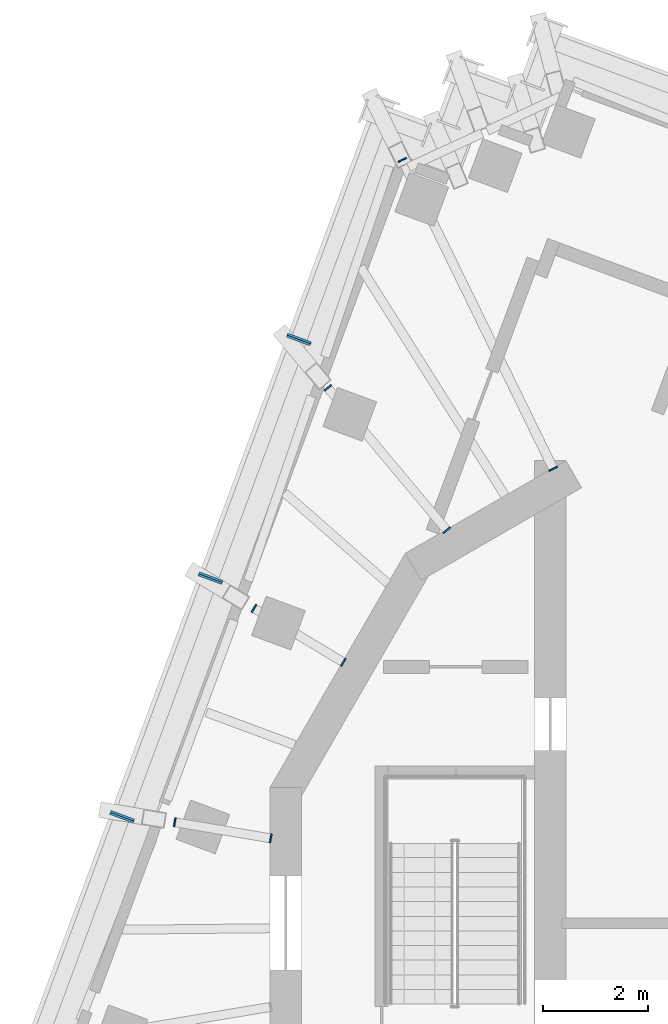
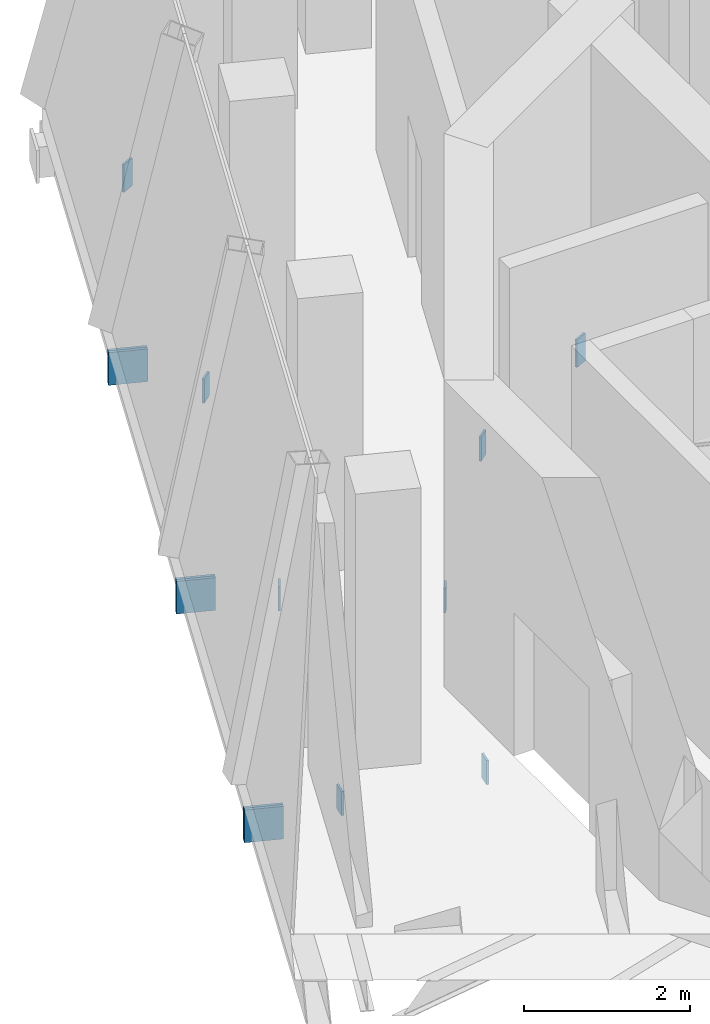
# One storey, part 9 of 12: 14 discrete accessories, 4 elements without a shape of their own.
"""IFC4 building model written with IfcOpenShell, lengths in metres."""

import ifcopenshell
import ifcopenshell.guid

model = None  # the IFC model being written
_history = None  # IfcOwnerHistory: only IFC2X3 demands one
_inside = {}  # id of a spatial element -> (the spatial element, [elements in it])
_under = {}  # id of a project, library or spatial element -> (it, [spatial elements below it])
_declared = {}  # id of a project -> (the project, [libraries it declares])
_typed = {}  # id of a type object -> (the type object, [elements of that type])
_made_of = {}  # id of a material, layer set ... -> (it, [elements and type objects made of it])


def new_model(schema):
    """Start an empty IFC model of exactly this schema.

    Asked for "IFC4X3", IfcOpenShell would pick the latest addendum, in which some entities
    have other attributes; the version numbers below select the first issue.
    IFC2X3 requires an IfcOwnerHistory on every rooted entity: one is made here for all.
    """
    global model, _history
    if schema == "IFC4X3":
        model = ifcopenshell.file(schema_version=(4, 3, 0, 0))
    else:
        model = ifcopenshell.file(schema=schema)
    _inside.clear()
    _under.clear()
    _declared.clear()
    _typed.clear()
    _made_of.clear()
    _history = None
    if model.schema == "IFC2X3":
        org = make("IfcOrganization", Name="unknown")
        user = make(
            "IfcPersonAndOrganization",
            ThePerson=make("IfcPerson", FamilyName="unknown"),
            TheOrganization=org,
        )
        app = make(
            "IfcApplication",
            ApplicationDeveloper=org,
            Version="unknown",
            ApplicationFullName="unknown",
            ApplicationIdentifier="unknown",
        )
        _history = make(
            "IfcOwnerHistory",
            OwningUser=user,
            OwningApplication=app,
            ChangeAction="ADDED",
            CreationDate=0,
        )
    return model


def make(cls, **values):
    """One entity of the class cls with the attributes given. An attribute that is None is left unset."""
    return model.create_entity(
        cls, **{name: value for name, value in values.items() if value is not None}
    )


def rooted(cls, **values):
    """An entity with a GlobalId (a new one), such as an element, a storey or a relation."""
    return make(cls, GlobalId=ifcopenshell.guid.new(), OwnerHistory=_history, **values)


def si_unit(unit_type, name, prefix=None):
    """IfcSIUnit, for example si_unit("LENGTHUNIT", "METRE", prefix="MILLI")."""
    return make("IfcSIUnit", UnitType=unit_type, Prefix=prefix, Name=name)


def assignment(units):
    """IfcUnitAssignment: the units of a project."""
    return None if units is None else make("IfcUnitAssignment", Units=units)


def point(xyz):
    """IfcCartesianPoint."""
    return None if xyz is None else make("IfcCartesianPoint", Coordinates=xyz)


def direction(xyz):
    """IfcDirection."""
    return None if xyz is None else make("IfcDirection", DirectionRatios=xyz)


def frame(location, z_axis=None, x_axis=None):
    """IfcAxis2Placement3D, a coordinate frame: its origin and axes. An axis left out is left unset."""
    return make(
        "IfcAxis2Placement3D",
        Location=point(location),
        Axis=direction(z_axis),
        RefDirection=direction(x_axis),
    )


def origin():
    """The frame at (0, 0, 0) with its axes left unset."""
    return frame((0.0, 0.0, 0.0))


def place(relative_to, where):
    """IfcLocalPlacement: puts the frame where relative to a parent placement (None: the world)."""
    return make(
        "IfcLocalPlacement", PlacementRelTo=relative_to, RelativePlacement=where
    )


def context(
    kind, dimensions, precision=None, world=None, true_north=None, identifier=None
):
    """IfcGeometricRepresentationContext, for example the 3D "Model" context."""
    return make(
        "IfcGeometricRepresentationContext",
        ContextIdentifier=identifier,
        ContextType=kind,
        CoordinateSpaceDimension=dimensions,
        Precision=precision,
        WorldCoordinateSystem=world,
        TrueNorth=true_north,
    )


def subcontext(parent, identifier, kind, view, scale=None):
    """IfcGeometricRepresentationSubContext, for example "Body" below "Model"."""
    return make(
        "IfcGeometricRepresentationSubContext",
        ContextIdentifier=identifier,
        ContextType=kind,
        ParentContext=parent,
        TargetScale=scale,
        TargetView=view,
    )


def project(units=None, contexts=None):
    """IfcProject with its units and contexts."""
    return rooted(
        "IfcProject",
        Name="project",
        RepresentationContexts=contexts,
        UnitsInContext=assignment(units),
    )


def spatial(cls, under=None, at=None, **own):
    """A site, building, storey or space (cls), placed at a placement, below another one or the project."""
    s = rooted(cls, ObjectPlacement=at, **own)
    if under is not None:
        _under.setdefault(under.id(), (under, []))[1].append(s)
    return s


def polyline(points):
    """IfcPolyline through the points."""
    return make("IfcPolyline", Points=[point(p) for p in points])


def outline(outer, holes=None, kind="AREA"):
    """IfcArbitraryClosedProfileDef: a profile drawn as a closed curve; with holes, ...WithVoids."""
    if holes is None:
        return make("IfcArbitraryClosedProfileDef", ProfileType=kind, OuterCurve=outer)
    return make(
        "IfcArbitraryProfileDefWithVoids",
        ProfileType=kind,
        OuterCurve=outer,
        InnerCurves=holes,
    )


def extrude(swept, where, along, depth):
    """IfcExtrudedAreaSolid: the profile swept, set in the frame where, extruded along a direction by depth."""
    return make(
        "IfcExtrudedAreaSolid",
        SweptArea=swept,
        Position=where,
        ExtrudedDirection=direction(along),
        Depth=depth,
    )


def shape(context_of_items, identifier, shape_type, items):
    """IfcShapeRepresentation: the items that make up one representation, for example the "Body"."""
    return make(
        "IfcShapeRepresentation",
        ContextOfItems=context_of_items,
        RepresentationIdentifier=identifier,
        RepresentationType=shape_type,
        Items=items,
    )


def material(Name=None, Category=None):
    """IfcMaterial."""
    return make("IfcMaterial", Name=Name, Category=Category)


def layer(
    of_material, thickness, ventilated=None, Name=None, Category=None, Priority=None
):
    """IfcMaterialLayer: one layer of a wall or slab, of a material (None: an air gap)."""
    return make(
        "IfcMaterialLayer",
        Material=of_material,
        LayerThickness=thickness,
        IsVentilated=ventilated,
        Name=Name,
        Category=Category,
        Priority=Priority,
    )


def layer_set(layers, Name=None):
    """IfcMaterialLayerSet."""
    return make("IfcMaterialLayerSet", MaterialLayers=layers, LayerSetName=Name)


def made_of(thing, what):
    """Note that an element or type object is made of a material, layer set ...; save() writes the relation."""
    if what is not None:
        _made_of.setdefault(what.id(), (what, []))[1].append(thing)
    return thing


def type_object(cls, material=None, **own):
    """A type object (cls), such as IfcWallType, which elements share."""
    return made_of(rooted(cls, **own), material)


def element(
    cls,
    number,
    at=None,
    inside=None,
    cuts=None,
    type_object=None,
    material=None,
    context=None,
    identifier="Body",
    shape_type=None,
    held_by="IfcProductDefinitionShape",
    body=None,
    shapes=None,
    **own,
):
    """One element of the class cls, such as IfcWall. Its Tag is "e" and its number.

    at: its placement. inside: the storey or other place that contains it. cuts: it is an
    opening in that element (IfcRelVoidsElement). A single representation is given by context,
    identifier, shape_type and body (its items); several are given by shapes. held_by: the class
    of the entity that holds the representations. save() writes the other relations.
    """
    e = rooted(cls, Tag="e%d" % number, ObjectPlacement=at, **own)
    if body is not None:
        shapes = [shape(context, identifier, shape_type, body)]
    if shapes is not None:
        e.Representation = make(held_by, Representations=shapes)
    if inside is not None:
        _inside.setdefault(inside.id(), (inside, []))[1].append(e)
    if cuts is not None:
        rooted(
            "IfcRelVoidsElement", RelatingBuildingElement=cuts, RelatedOpeningElement=e
        )
    if type_object is not None:
        _typed.setdefault(type_object.id(), (type_object, []))[1].append(e)
    return made_of(e, material)


def aggregate(whole, parts):
    """IfcRelAggregates: a whole, such as a stair, and the parts it consists of."""
    return rooted("IfcRelAggregates", RelatingObject=whole, RelatedObjects=parts)


def save(model, path):
    """Write the relations noted so far, then the file.

    IfcRelAggregates (storeys below a building ...), IfcRelContainedInSpatialStructure (elements
    in a storey), IfcRelDefinesByType, IfcRelAssociatesMaterial and IfcRelDeclares: one each for
    every whole, place, type object, material and project.
    """
    for whole, parts in _under.values():
        aggregate(whole, parts)
    for where, things in _inside.values():
        rooted(
            "IfcRelContainedInSpatialStructure",
            RelatedElements=things,
            RelatingStructure=where,
        )
    for kind, things in _typed.values():
        rooted("IfcRelDefinesByType", RelatedObjects=things, RelatingType=kind)
    for what, things in _made_of.values():
        rooted("IfcRelAssociatesMaterial", RelatedObjects=things, RelatingMaterial=what)
    for by, libraries in _declared.values():
        rooted("IfcRelDeclares", RelatingContext=by, RelatedDefinitions=libraries)
    model.write(path)


model = new_model("IFC4")

# Units and contexts
model_context = context("Model", 3, precision=1e-05, world=origin(), true_north=direction((0.0, 1.0)))
body_context = subcontext(model_context, "Body", "Model", "MODEL_VIEW")
ifc_project = project(units=[si_unit("LENGTHUNIT", "METRE"), si_unit("AREAUNIT", "SQUARE_METRE"), si_unit("VOLUMEUNIT", "CUBIC_METRE"), si_unit("PLANEANGLEUNIT", "RADIAN"), si_unit("MASSUNIT", "GRAM", prefix="KILO")], contexts=[model_context])

# Site, building, storey
site_placement = place(None, origin())
site = spatial("IfcSite", under=ifc_project, at=site_placement, CompositionType="ELEMENT")
building_placement = place(site_placement, origin())
building = spatial("IfcBuilding", under=site, at=building_placement, Name="Cantera Rosa Tower", CompositionType="ELEMENT")
storey_placement = place(building_placement, frame((0.0, 0.0, 360.699951171875)))
storey = spatial("IfcBuildingStorey", under=building, at=storey_placement, Name="L81", CompositionType="ELEMENT", Elevation=360.699951171875)

# Curtain wall, discrete accessory
ifc_material_1 = material(Name="Aluminium frame with clear glass", Category="aluminium")
curtain_wall_type = type_object("IfcCurtainWallType", Name="CW4 CROWN GLAZING", PredefinedType="NOTDEFINED", material=ifc_material_1)
curtain_wall_1_placement = place(storey_placement, origin())
curtain_wall_1 = element("IfcCurtainWall", 1, at=curtain_wall_1_placement, inside=storey, type_object=curtain_wall_type, Name="CW4 L81-10", PredefinedType="NOTDEFINED")
ifc_material_2 = material(Name="Steel S355J2 (EN 10025-2)", Category="steel")
ifc_layer = layer(ifc_material_2, 0.030029296875)
ifc_layer_set = layer_set([ifc_layer], Name="NODE PLATE 30")
discrete_accessory_type = type_object("IfcDiscreteAccessoryType", Name="NODE PLATE 30", PredefinedType="ANCHORPLATE", material=ifc_layer_set)
discrete_accessory_1_placement = place(storey_placement, frame((-8.893798828125, 11.037109375, -0.43505859375), z_axis=(-0.347496626235, -0.937681233018, 0.0), x_axis=(-0.937681233018, 0.347496626235, 0.0)))
discrete_accessory_1 = element("IfcDiscreteAccessory", 2, at=discrete_accessory_1_placement, type_object=discrete_accessory_type, Name="END PLATE TE1", PredefinedType="ANCHORPLATE", context=body_context, shape_type="SweptSolid", body=[
    extrude(outline(polyline([(0.0, 0.0), (0.4798551533622547, 0.0), (0.4798551533622547, 0.47998046875), (0.0, 0.47998046875), (0.0, 0.0)])), origin(), (0.0, 0.0, -1.0), 0.0400390625),
])
aggregate(curtain_wall_1, [discrete_accessory_1])

# Curtain wall, discrete accessories
curtain_wall_2_placement = place(storey_placement, origin())
curtain_wall_2 = element("IfcCurtainWall", 3, at=curtain_wall_2_placement, inside=storey, type_object=curtain_wall_type, Name="CW4 L81-11", PredefinedType="NOTDEFINED")
discrete_accessory_2_placement = place(storey_placement, frame((-9.31591796875, 11.27880859375, -0.43505859375), z_axis=(0.347496626235, 0.937681233018, 0.0), x_axis=(0.937681233018, -0.347496626235, 0.0)))
discrete_accessory_2 = element("IfcDiscreteAccessory", 4, at=discrete_accessory_2_placement, type_object=discrete_accessory_type, Name="END PLATE TE0", PredefinedType="ANCHORPLATE", context=body_context, shape_type="SweptSolid", body=[
    extrude(outline(polyline([(0.0, 0.0), (0.4798551533622547, 0.0), (0.4798551533622547, 0.47998046875), (0.0, 0.47998046875), (0.0, 0.0)])), origin(), (0.0, 0.0, -1.0), 0.0400390625),
])
discrete_accessory_3_placement = place(storey_placement, frame((-10.58447265625, 6.474365234375, -0.43505859375), z_axis=(-0.347330918501, -0.937742626232, 0.0), x_axis=(-0.937742626232, 0.347330918501, 0.0)))
discrete_accessory_3 = element("IfcDiscreteAccessory", 5, at=discrete_accessory_3_placement, type_object=discrete_accessory_type, Name="END PLATE TE1", PredefinedType="ANCHORPLATE", context=body_context, shape_type="SweptSolid", body=[
    extrude(outline(polyline([(0.0, 0.0), (0.4800840869406107, 0.0), (0.4800840869406107, 0.47998046875), (0.0, 0.47998046875), (0.0, 0.0)])), origin(), (0.0, 0.0, -1.0), 0.0400390625),
])
aggregate(curtain_wall_2, [discrete_accessory_2, discrete_accessory_3])

curtain_wall_3_placement = place(storey_placement, origin())
curtain_wall_3 = element("IfcCurtainWall", 6, at=curtain_wall_3_placement, inside=storey, type_object=curtain_wall_type, Name="CW4 L81-12", PredefinedType="NOTDEFINED")
discrete_accessory_4_placement = place(storey_placement, frame((-11.0068359375, 6.716064453125, -0.43505859375), z_axis=(0.347330918501, 0.937742626232, 0.0), x_axis=(0.937742626232, -0.347330918501, 0.0)))
discrete_accessory_4 = element("IfcDiscreteAccessory", 7, at=discrete_accessory_4_placement, type_object=discrete_accessory_type, Name="END PLATE TE0", PredefinedType="ANCHORPLATE", context=body_context, shape_type="SweptSolid", body=[
    extrude(outline(polyline([(0.0, 0.0), (0.4800840869406107, 0.0), (0.4800840869406107, 0.47998046875), (0.0, 0.47998046875), (0.0, 0.0)])), origin(), (0.0, 0.0, -1.0), 0.0400390625),
])
discrete_accessory_5_placement = place(storey_placement, frame((-12.275390625, 1.91162109375, -0.43505859375), z_axis=(-0.347496626235, -0.937681233018, 0.0), x_axis=(-0.937681233018, 0.347496626235, 0.0)))
discrete_accessory_5 = element("IfcDiscreteAccessory", 8, at=discrete_accessory_5_placement, type_object=discrete_accessory_type, Name="END PLATE TE1", PredefinedType="ANCHORPLATE", context=body_context, shape_type="SweptSolid", body=[
    extrude(outline(polyline([(0.0, 0.0), (0.4798551533622547, 0.0), (0.4798551533622547, 0.47998046875), (0.0, 0.47998046875), (0.0, 0.0)])), origin(), (0.0, 0.0, -1.0), 0.0400390625),
])
aggregate(curtain_wall_3, [discrete_accessory_4, discrete_accessory_5])

# Curtain wall, discrete accessory
curtain_wall_4_placement = place(storey_placement, origin())
curtain_wall_4 = element("IfcCurtainWall", 9, at=curtain_wall_4_placement, inside=storey, type_object=curtain_wall_type, Name="CW4 L81-13", PredefinedType="NOTDEFINED")
discrete_accessory_6_placement = place(storey_placement, frame((-12.69775390625, 2.1533203125, -0.43505859375), z_axis=(0.347330918501, 0.937742626232, 0.0), x_axis=(0.937742626232, -0.347330918501, 0.0)))
discrete_accessory_6 = element("IfcDiscreteAccessory", 10, at=discrete_accessory_6_placement, type_object=discrete_accessory_type, Name="END PLATE TE0", PredefinedType="ANCHORPLATE", context=body_context, shape_type="SweptSolid", body=[
    extrude(outline(polyline([(0.0, 0.0), (0.4800840869406107, 0.0), (0.4800840869406107, 0.47998046875), (0.0, 0.47998046875), (0.0, 0.0)])), origin(), (0.0, 0.0, -1.0), 0.0400390625),
])
aggregate(curtain_wall_4, [discrete_accessory_6])

# Discrete accessories
discrete_accessory_7_placement = place(storey_placement, frame((0.0, 0.0, -0.85595703125)))
element("IfcDiscreteAccessory", 11, at=discrete_accessory_7_placement, inside=storey, type_object=discrete_accessory_type, Name="END PLATE CG-Z6-03 L81 A", PredefinedType="ANCHORPLATE", context=body_context, shape_type="SweptSolid", body=[
    extrude(outline(polyline([(-7.200927734375, 14.540283203125), (-7.214111328125, 14.567138671875), (-7.05419921875, 14.645263671875), (-7.041015625, 14.618408203125), (-7.200927734375, 14.540283203125)])), origin(), (0.0, 0.0, 1.0), 0.406005859375),
])
discrete_accessory_8_placement = place(storey_placement, frame((0.0, 0.0, -0.85595703125)))
element("IfcDiscreteAccessory", 12, at=discrete_accessory_8_placement, inside=storey, type_object=discrete_accessory_type, Name="END PLATE CG-Z6-03 L81 B", PredefinedType="ANCHORPLATE", context=body_context, shape_type="SweptSolid", body=[
    extrude(outline(polyline([(-4.16943359375, 8.7392578125), (-4.15625, 8.712158203125), (-4.316162109375, 8.634033203125), (-4.329345703125, 8.6611328125), (-4.16943359375, 8.7392578125)])), origin(), (0.0, 0.0, 1.0), 0.406005859375),
])
discrete_accessory_9_placement = place(storey_placement, frame((0.0, 0.0, -0.805908203125)))
element("IfcDiscreteAccessory", 13, at=discrete_accessory_9_placement, inside=storey, type_object=discrete_accessory_type, Name="END PLATE CG-Z6-04 L81 A", PredefinedType="ANCHORPLATE", context=body_context, shape_type="SweptSolid", body=[
    extrude(outline(polyline([(-8.609619140625, 10.16552734375), (-8.62890625, 10.188720703125), (-8.49755859375, 10.29833984375), (-8.478271484375, 10.275390625), (-8.609619140625, 10.16552734375)])), origin(), (0.0, 0.0, 1.0), 0.35595703125),
])
discrete_accessory_10_placement = place(storey_placement, frame((0.0, 0.0, -0.805908203125)))
element("IfcDiscreteAccessory", 14, at=discrete_accessory_10_placement, inside=storey, type_object=discrete_accessory_type, Name="END PLATE CG-Z6-04 L81 B", PredefinedType="ANCHORPLATE", context=body_context, shape_type="SweptSolid", body=[
    extrude(outline(polyline([(-6.22314453125, 7.57763671875), (-6.203857421875, 7.554443359375), (-6.335205078125, 7.44482421875), (-6.354248046875, 7.4677734375), (-6.22314453125, 7.57763671875)])), origin(), (0.0, 0.0, 1.0), 0.35595703125),
])
discrete_accessory_11_placement = place(storey_placement, frame((0.0, 0.0, -0.805908203125)))
element("IfcDiscreteAccessory", 15, at=discrete_accessory_11_placement, inside=storey, type_object=discrete_accessory_type, Name="END PLATE CG-Z6-05 L81 A", PredefinedType="ANCHORPLATE", context=body_context, shape_type="SweptSolid", body=[
    extrude(outline(polyline([(-9.99609375, 5.93701171875), (-10.021728515625, 5.95263671875), (-9.933349609375, 6.098876953125), (-9.90771484375, 6.08349609375), (-9.99609375, 5.93701171875)])), origin(), (0.0, 0.0, 1.0), 0.35595703125),
])
discrete_accessory_12_placement = place(storey_placement, frame((0.0, 0.0, -0.805908203125)))
element("IfcDiscreteAccessory", 16, at=discrete_accessory_12_placement, inside=storey, type_object=discrete_accessory_type, Name="END PLATE CG-Z6-05 L81 B", PredefinedType="ANCHORPLATE", context=body_context, shape_type="SweptSolid", body=[
    extrude(outline(polyline([(-8.225830078125, 5.067626953125), (-8.2001953125, 5.05224609375), (-8.28857421875, 4.90576171875), (-8.314208984375, 4.92138671875), (-8.225830078125, 5.067626953125)])), origin(), (0.0, 0.0, 1.0), 0.35595703125),
])
discrete_accessory_13_placement = place(storey_placement, frame((0.0, 0.0, -0.805908203125)))
element("IfcDiscreteAccessory", 17, at=discrete_accessory_13_placement, inside=storey, type_object=discrete_accessory_type, Name="END PLATE CG-Z6-06 L81 A", PredefinedType="ANCHORPLATE", context=body_context, shape_type="SweptSolid", body=[
    extrude(outline(polyline([(-11.479248046875, 1.842041015625), (-11.509033203125, 1.846923828125), (-11.480712890625, 2.015625), (-11.450927734375, 2.0107421875), (-11.479248046875, 1.842041015625)])), origin(), (0.0, 0.0, 1.0), 0.35595703125),
])
discrete_accessory_14_placement = place(storey_placement, frame((0.0, 0.0, -0.805908203125)))
element("IfcDiscreteAccessory", 18, at=discrete_accessory_14_placement, inside=storey, type_object=discrete_accessory_type, Name="END PLATE CG-Z6-06 L81 B", PredefinedType="ANCHORPLATE", context=body_context, shape_type="SweptSolid", body=[
    extrude(outline(polyline([(-9.64501953125, 1.707275390625), (-9.615478515625, 1.7021484375), (-9.643798828125, 1.53369140625), (-9.67333984375, 1.53857421875), (-9.64501953125, 1.707275390625)])), origin(), (0.0, 0.0, 1.0), 0.35595703125),
])

save(model, "model.ifc")
